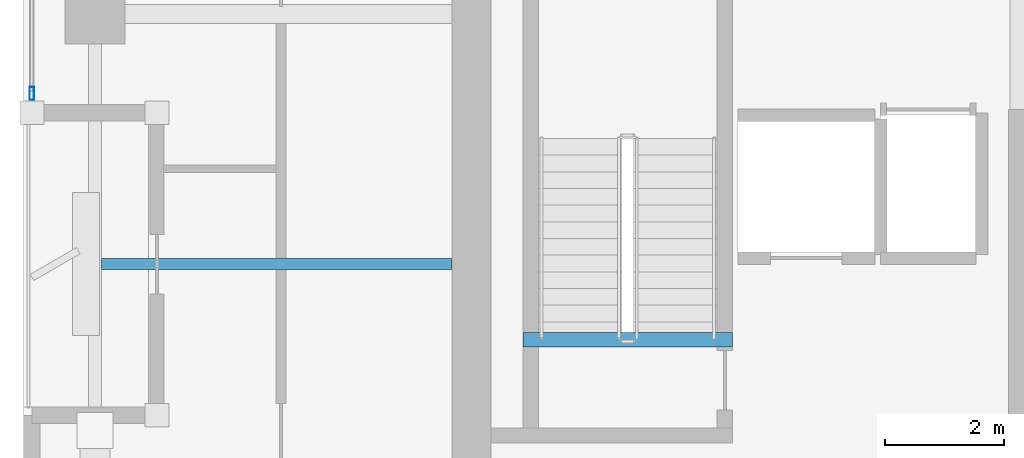
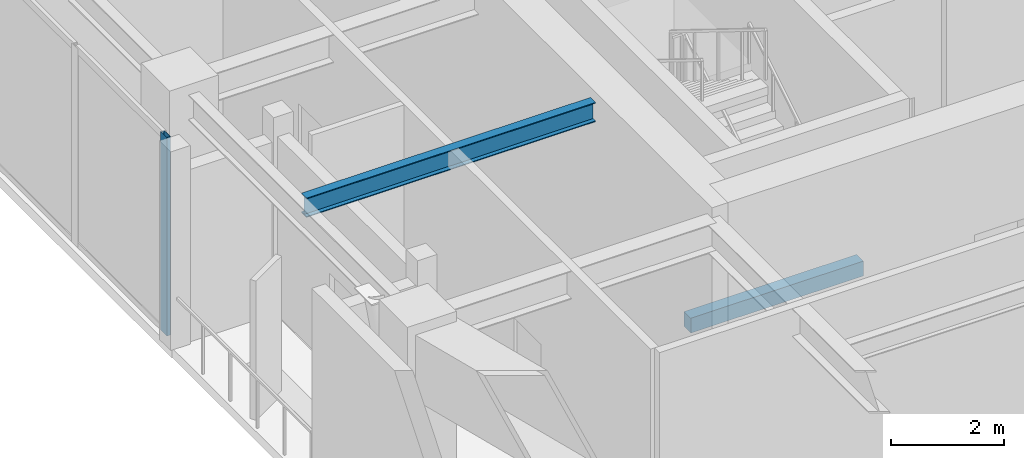
# One storey, part 2 of 19: 2 beams, 1 member, 1 element without a shape of its own.
"""IFC4 building model written with IfcOpenShell, lengths in metres."""

from ifc_helpers import new_model, si_unit, direction, frame, origin, origin_2d, place, context, subcontext, project, spatial, rectangle, hollow_rectangle, i_section, extrude, material, layer, layer_set, material_profile, profile_set, type_object, element, aggregate, save


model = new_model("IFC4")

# Units and contexts
model_context = context("Model", 3, precision=1e-05, world=origin(), true_north=direction((0.0, 1.0)))
body_context = subcontext(model_context, "Body", "Model", "MODEL_VIEW")
ifc_project = project(units=[si_unit("LENGTHUNIT", "METRE"), si_unit("AREAUNIT", "SQUARE_METRE"), si_unit("VOLUMEUNIT", "CUBIC_METRE"), si_unit("PLANEANGLEUNIT", "RADIAN"), si_unit("MASSUNIT", "GRAM", prefix="KILO")], contexts=[model_context])

# Site, building, storey
site_placement = place(None, origin())
site = spatial("IfcSite", under=ifc_project, at=site_placement, CompositionType="ELEMENT")
building_placement = place(site_placement, origin())
building = spatial("IfcBuilding", under=site, at=building_placement, Name="Kiyonajd Concourse Tower", CompositionType="ELEMENT")
storey_placement = place(building_placement, frame((0.0, 0.0, 238.800048828125)))
storey = spatial("IfcBuildingStorey", under=building, at=storey_placement, Name="L60", CompositionType="ELEMENT", Elevation=238.800048828125)

# Beams
ifc_material_1 = material(Name="Steel ASTM A992 Grade 50", Category="steel")
ifc_material_profile_1 = material_profile(ifc_material_1, i_section(OverallWidth=0.180908203125, OverallDepth=0.4169921875, WebThickness=0.010986328125, FlangeThickness=0.018310546875, at=origin_2d()), Name="W410X85")
ifc_profile_set_1 = profile_set([ifc_material_profile_1], Name="Steel ASTM A992 Grade 50")
beam_type_1 = type_object("IfcBeamType", Name="BM-JST-410", PredefinedType="JOIST", material=ifc_profile_set_1)
beam_1_placement = place(storey_placement, frame((26.507080078125, 31.800048828125, 4.071533203125), z_axis=(1.0, 0.0, 0.0), x_axis=(0.0, 1.0, 0.0)))
element("IfcBeam", 1, at=beam_1_placement, inside=storey, type_object=beam_type_1, Name="L60 West Secondary Floor Joist", PredefinedType="JOIST", context=body_context, shape_type="SweptSolid", body=[
    extrude(i_section(OverallWidth=0.180908203125, OverallDepth=0.4169921875, WebThickness=0.010986328125, FlangeThickness=0.018310546875, at=origin_2d()), origin(), (0.0, 0.0, 1.0), 5.892822265625),
])
ifc_material_2 = material(Name="Concrete C50/60", Category="concrete")
ifc_material_profile_2 = material_profile(ifc_material_2, rectangle(XDim=0.239990234375, YDim=0.320068359375, at=origin_2d()), Name="RCBM-240x320")
ifc_profile_set_2 = profile_set([ifc_material_profile_2], Name="Concrete C50/60")
beam_type_2 = type_object("IfcBeamType", Name="BM-LNT-250", PredefinedType="LINTEL", material=ifc_profile_set_2)
beam_2_placement = place(storey_placement, frame((33.590087890625, 30.530029296875, -0.16015625), z_axis=(1.0, 0.0, 0.0), x_axis=(0.0, 1.0, 0.0)))
element("IfcBeam", 2, at=beam_2_placement, inside=storey, type_object=beam_type_2, Name="L60 Stair ST1 Threshold Support Beam", PredefinedType="LINTEL", context=body_context, shape_type="SweptSolid", body=[
    extrude(rectangle(XDim=0.239990234375, YDim=0.320068359375, at=origin_2d()), origin(), (0.0, 0.0, 1.0), 3.52001953125),
])

# Curtain wall, member
ifc_material_3 = material(Name="Thermally Broken Anodised Aluminium", Category="aluminium")
ifc_layer = layer(ifc_material_3, 0.179931640625)
ifc_layer_set = layer_set([ifc_layer], Name="Thermally Broken Anodised Aluminium")
curtain_wall_type = type_object("IfcCurtainWallType", Name="CW-SYS-05", PredefinedType="NOTDEFINED", material=ifc_layer_set)
curtain_wall_placement = place(storey_placement, origin())
curtain_wall = element("IfcCurtainWall", 3, at=curtain_wall_placement, inside=storey, type_object=curtain_wall_type, Name="L60 Unitised Curtain Wall CW5", PredefinedType="NOTDEFINED")
ifc_material_profile_3 = material_profile(ifc_material_3, hollow_rectangle(XDim=0.074951171875, YDim=0.219970703125, WallThickness=0.0048828125, at=origin_2d()), Name="MULL-75x220")
ifc_profile_set_3 = profile_set([ifc_material_profile_3], Name="Thermally Broken Anodised Aluminium")
member_type = type_object("IfcMemberType", Name="MB-CW-MULL2", PredefinedType="MULLION", material=ifc_profile_set_3)
member_placement = place(storey_placement, frame((25.340087890625, 34.66748046875, 0.0), z_axis=(0.0, 0.0, 1.0), x_axis=(-1.0, 0.0, 0.0)))
member = element("IfcMember", 4, at=member_placement, type_object=member_type, Name="CW5 mullion 1", PredefinedType="MULLION", context=body_context, shape_type="SweptSolid", body=[
    extrude(hollow_rectangle(XDim=0.074951171875, YDim=0.219970703125, WallThickness=0.0048828125, at=origin_2d()), origin(), (0.0, 0.0, 1.0), 4.280029296875),
])
aggregate(curtain_wall, [member])

save(model, "model.ifc")
